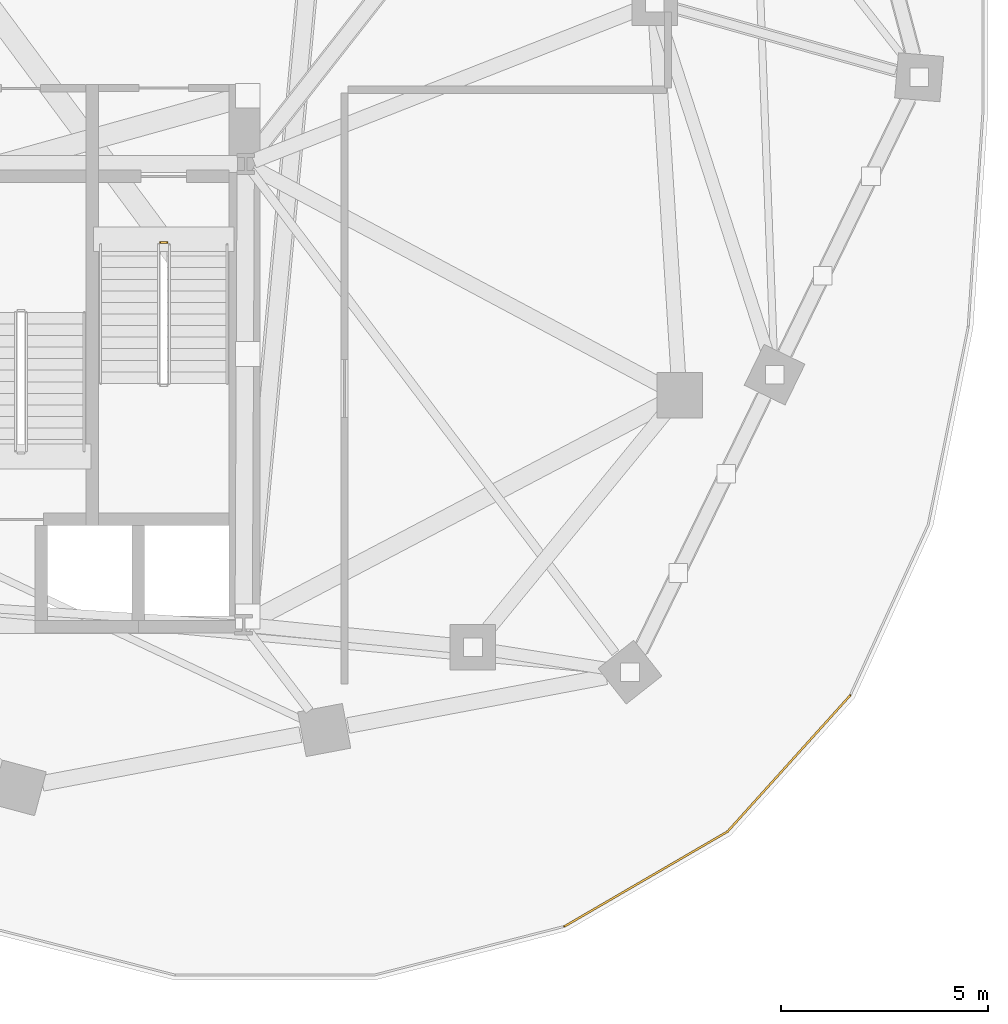
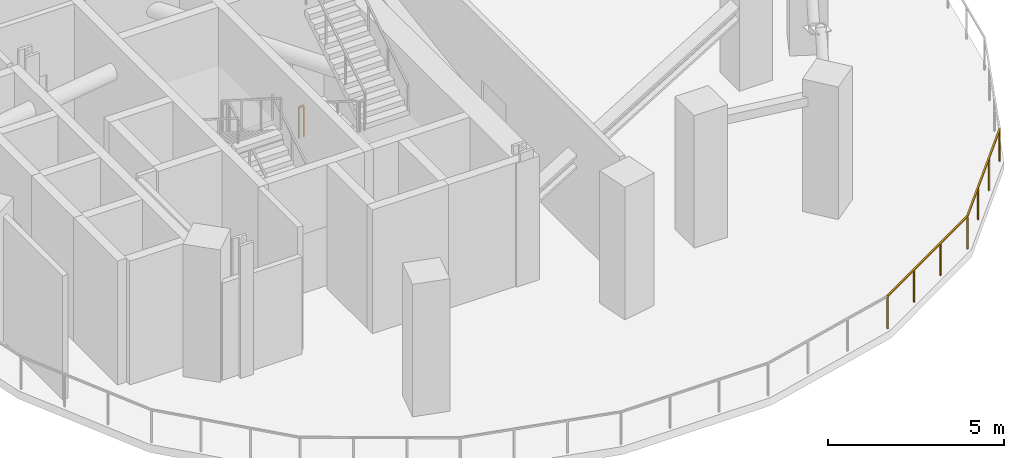
# One storey, part 12 of 13: 2 railings.
"""IFC4 building model written with IfcOpenShell, lengths in metres."""

import ifcopenshell
import ifcopenshell.guid

model = None  # the IFC model being written
_history = None  # IfcOwnerHistory: only IFC2X3 demands one
_inside = {}  # id of a spatial element -> (the spatial element, [elements in it])
_under = {}  # id of a project, library or spatial element -> (it, [spatial elements below it])
_declared = {}  # id of a project -> (the project, [libraries it declares])
_typed = {}  # id of a type object -> (the type object, [elements of that type])
_made_of = {}  # id of a material, layer set ... -> (it, [elements and type objects made of it])


def new_model(schema):
    """Start an empty IFC model of exactly this schema.

    Asked for "IFC4X3", IfcOpenShell would pick the latest addendum, in which some entities
    have other attributes; the version numbers below select the first issue.
    IFC2X3 requires an IfcOwnerHistory on every rooted entity: one is made here for all.
    """
    global model, _history
    if schema == "IFC4X3":
        model = ifcopenshell.file(schema_version=(4, 3, 0, 0))
    else:
        model = ifcopenshell.file(schema=schema)
    _inside.clear()
    _under.clear()
    _declared.clear()
    _typed.clear()
    _made_of.clear()
    _history = None
    if model.schema == "IFC2X3":
        org = make("IfcOrganization", Name="unknown")
        user = make(
            "IfcPersonAndOrganization",
            ThePerson=make("IfcPerson", FamilyName="unknown"),
            TheOrganization=org,
        )
        app = make(
            "IfcApplication",
            ApplicationDeveloper=org,
            Version="unknown",
            ApplicationFullName="unknown",
            ApplicationIdentifier="unknown",
        )
        _history = make(
            "IfcOwnerHistory",
            OwningUser=user,
            OwningApplication=app,
            ChangeAction="ADDED",
            CreationDate=0,
        )
    return model


def make(cls, **values):
    """One entity of the class cls with the attributes given. An attribute that is None is left unset."""
    return model.create_entity(
        cls, **{name: value for name, value in values.items() if value is not None}
    )


def rooted(cls, **values):
    """An entity with a GlobalId (a new one), such as an element, a storey or a relation."""
    return make(cls, GlobalId=ifcopenshell.guid.new(), OwnerHistory=_history, **values)


def si_unit(unit_type, name, prefix=None):
    """IfcSIUnit, for example si_unit("LENGTHUNIT", "METRE", prefix="MILLI")."""
    return make("IfcSIUnit", UnitType=unit_type, Prefix=prefix, Name=name)


def assignment(units):
    """IfcUnitAssignment: the units of a project."""
    return None if units is None else make("IfcUnitAssignment", Units=units)


def point(xyz):
    """IfcCartesianPoint."""
    return None if xyz is None else make("IfcCartesianPoint", Coordinates=xyz)


def direction(xyz):
    """IfcDirection."""
    return None if xyz is None else make("IfcDirection", DirectionRatios=xyz)


def frame(location, z_axis=None, x_axis=None):
    """IfcAxis2Placement3D, a coordinate frame: its origin and axes. An axis left out is left unset."""
    return make(
        "IfcAxis2Placement3D",
        Location=point(location),
        Axis=direction(z_axis),
        RefDirection=direction(x_axis),
    )


def frame_2d(location, x_axis=None):
    """IfcAxis2Placement2D, a coordinate frame in the plane: its origin and x axis."""
    return make(
        "IfcAxis2Placement2D", Location=point(location), RefDirection=direction(x_axis)
    )


def origin():
    """The frame at (0, 0, 0) with its axes left unset."""
    return frame((0.0, 0.0, 0.0))


def origin_2d():
    """The frame at (0, 0) in the plane with its x axis left unset."""
    return frame_2d((0.0, 0.0))


def place(relative_to, where):
    """IfcLocalPlacement: puts the frame where relative to a parent placement (None: the world)."""
    return make(
        "IfcLocalPlacement", PlacementRelTo=relative_to, RelativePlacement=where
    )


def context(
    kind, dimensions, precision=None, world=None, true_north=None, identifier=None
):
    """IfcGeometricRepresentationContext, for example the 3D "Model" context."""
    return make(
        "IfcGeometricRepresentationContext",
        ContextIdentifier=identifier,
        ContextType=kind,
        CoordinateSpaceDimension=dimensions,
        Precision=precision,
        WorldCoordinateSystem=world,
        TrueNorth=true_north,
    )


def subcontext(parent, identifier, kind, view, scale=None):
    """IfcGeometricRepresentationSubContext, for example "Body" below "Model"."""
    return make(
        "IfcGeometricRepresentationSubContext",
        ContextIdentifier=identifier,
        ContextType=kind,
        ParentContext=parent,
        TargetScale=scale,
        TargetView=view,
    )


def project(units=None, contexts=None):
    """IfcProject with its units and contexts."""
    return rooted(
        "IfcProject",
        Name="project",
        RepresentationContexts=contexts,
        UnitsInContext=assignment(units),
    )


def spatial(cls, under=None, at=None, **own):
    """A site, building, storey or space (cls), placed at a placement, below another one or the project."""
    s = rooted(cls, ObjectPlacement=at, **own)
    if under is not None:
        _under.setdefault(under.id(), (under, []))[1].append(s)
    return s


def profile(cls, at=None, kind="AREA", **sizes):
    """A parametric profile (cls). Its sizes go by their IFC names, for example OverallWidth=200.0."""
    return make(cls, ProfileType=kind, Position=at, **sizes)


def rectangle(**sizes):
    """IfcRectangleProfileDef."""
    return profile("IfcRectangleProfileDef", **sizes)


def extrude(swept, where, along, depth):
    """IfcExtrudedAreaSolid: the profile swept, set in the frame where, extruded along a direction by depth."""
    return make(
        "IfcExtrudedAreaSolid",
        SweptArea=swept,
        Position=where,
        ExtrudedDirection=direction(along),
        Depth=depth,
    )


def shape(context_of_items, identifier, shape_type, items):
    """IfcShapeRepresentation: the items that make up one representation, for example the "Body"."""
    return make(
        "IfcShapeRepresentation",
        ContextOfItems=context_of_items,
        RepresentationIdentifier=identifier,
        RepresentationType=shape_type,
        Items=items,
    )


def material(Name=None, Category=None):
    """IfcMaterial."""
    return make("IfcMaterial", Name=Name, Category=Category)


def made_of(thing, what):
    """Note that an element or type object is made of a material, layer set ...; save() writes the relation."""
    if what is not None:
        _made_of.setdefault(what.id(), (what, []))[1].append(thing)
    return thing


def type_object(cls, material=None, **own):
    """A type object (cls), such as IfcWallType, which elements share."""
    return made_of(rooted(cls, **own), material)


def element(
    cls,
    number,
    at=None,
    inside=None,
    cuts=None,
    type_object=None,
    material=None,
    context=None,
    identifier="Body",
    shape_type=None,
    held_by="IfcProductDefinitionShape",
    body=None,
    shapes=None,
    **own,
):
    """One element of the class cls, such as IfcWall. Its Tag is "e" and its number.

    at: its placement. inside: the storey or other place that contains it. cuts: it is an
    opening in that element (IfcRelVoidsElement). A single representation is given by context,
    identifier, shape_type and body (its items); several are given by shapes. held_by: the class
    of the entity that holds the representations. save() writes the other relations.
    """
    e = rooted(cls, Tag="e%d" % number, ObjectPlacement=at, **own)
    if body is not None:
        shapes = [shape(context, identifier, shape_type, body)]
    if shapes is not None:
        e.Representation = make(held_by, Representations=shapes)
    if inside is not None:
        _inside.setdefault(inside.id(), (inside, []))[1].append(e)
    if cuts is not None:
        rooted(
            "IfcRelVoidsElement", RelatingBuildingElement=cuts, RelatedOpeningElement=e
        )
    if type_object is not None:
        _typed.setdefault(type_object.id(), (type_object, []))[1].append(e)
    return made_of(e, material)


def aggregate(whole, parts):
    """IfcRelAggregates: a whole, such as a stair, and the parts it consists of."""
    return rooted("IfcRelAggregates", RelatingObject=whole, RelatedObjects=parts)


def save(model, path):
    """Write the relations noted so far, then the file.

    IfcRelAggregates (storeys below a building ...), IfcRelContainedInSpatialStructure (elements
    in a storey), IfcRelDefinesByType, IfcRelAssociatesMaterial and IfcRelDeclares: one each for
    every whole, place, type object, material and project.
    """
    for whole, parts in _under.values():
        aggregate(whole, parts)
    for where, things in _inside.values():
        rooted(
            "IfcRelContainedInSpatialStructure",
            RelatedElements=things,
            RelatingStructure=where,
        )
    for kind, things in _typed.values():
        rooted("IfcRelDefinesByType", RelatedObjects=things, RelatingType=kind)
    for what, things in _made_of.values():
        rooted("IfcRelAssociatesMaterial", RelatedObjects=things, RelatingMaterial=what)
    for by, libraries in _declared.values():
        rooted("IfcRelDeclares", RelatingContext=by, RelatedDefinitions=libraries)
    model.write(path)


model = new_model("IFC4")

# Units and contexts
model_context = context("Model", 3, precision=1e-05, world=origin(), true_north=direction((0.0, 1.0)))
body_context = subcontext(model_context, "Body", "Model", "MODEL_VIEW")
ifc_project = project(units=[si_unit("LENGTHUNIT", "METRE"), si_unit("AREAUNIT", "SQUARE_METRE"), si_unit("VOLUMEUNIT", "CUBIC_METRE"), si_unit("PLANEANGLEUNIT", "RADIAN"), si_unit("MASSUNIT", "GRAM", prefix="KILO"), si_unit("THERMODYNAMICTEMPERATUREUNIT", "KELVIN"), si_unit("POWERUNIT", "WATT")], contexts=[model_context])

# Site, building, storey
site_placement = place(None, origin())
site = spatial("IfcSite", under=ifc_project, at=site_placement, CompositionType="ELEMENT")
building_placement = place(site_placement, origin())
building = spatial("IfcBuilding", under=site, at=building_placement, Name="Cundina Bronze Exchange", CompositionType="ELEMENT")
storey_placement = place(building_placement, frame((0.0, 0.0, 77.199951171875)))
storey = spatial("IfcBuildingStorey", under=building, at=storey_placement, Name="L19", CompositionType="ELEMENT", Elevation=77.199951171875)

# Railings
ifc_material_1 = material(Name="Anodised Bronze Aluminium 6063-T6", Category="aluminium")
railing_type_1 = type_object("IfcRailingType", Name="RLG-GRD-1150", PredefinedType="GUARDRAIL", material=ifc_material_1)
railing_1_placement = place(storey_placement, frame((45.930419921875, -16.762451171875, 0.0)))
element("IfcRailing", 1, at=railing_1_placement, inside=storey, type_object=railing_type_1, Name="L19 Perimeter Safety Guardrail 03", PredefinedType="GUARDRAIL", context=body_context, shape_type="SweptSolid", body=[
    extrude(rectangle(XDim=0.048095703125, YDim=0.048095703125, at=origin_2d()), frame((0.0, 0.0, 1.1259765625), z_axis=(-0.669381252421, -0.742919066189, 0.0), x_axis=(0.742919066189, -0.669381252421, 0.0)), (0.0, 0.0, 1.0), 4.435546875),
    extrude(rectangle(XDim=0.048095703125, YDim=0.048095703125, at=origin_2d()), frame((-2.968994140625, -3.295166015625, 1.1259765625), z_axis=(-0.864468804017, -0.502686469762, 0.0), x_axis=(0.502686469762, -0.864468804017, 0.0)), (0.0, 0.0, 1.0), 4.56396484375),
    extrude(rectangle(XDim=0.0419921875, YDim=0.0419921875, at=origin_2d()), origin(), (0.0, 0.0, 1.0), 1.101806640625),
    extrude(rectangle(XDim=0.0419921875, YDim=0.0419921875, at=origin_2d()), frame((-0.98974609375, -1.098388671875, 0.0)), (0.0, 0.0, 1.0), 1.101806640625),
    extrude(rectangle(XDim=0.0419921875, YDim=0.0419921875, at=origin_2d()), frame((-1.979248046875, -2.19677734375, 0.0)), (0.0, 0.0, 1.0), 1.101806640625),
    extrude(rectangle(XDim=0.0419921875, YDim=0.0419921875, at=origin_2d()), frame((-2.968994140625, -3.295166015625, 0.0)), (0.0, 0.0, 1.0), 1.101806640625),
    extrude(rectangle(XDim=0.0419921875, YDim=0.0419921875, at=origin_2d()), frame((-4.2841796875, -4.059814453125, 0.0)), (0.0, 0.0, 1.0), 1.101806640625),
    extrude(rectangle(XDim=0.0419921875, YDim=0.0419921875, at=origin_2d()), frame((-5.59912109375, -4.82470703125, 0.0)), (0.0, 0.0, 1.0), 1.101806640625),
    extrude(rectangle(XDim=0.0419921875, YDim=0.0419921875, at=origin_2d()), frame((-6.914306640625, -5.58935546875, 0.0)), (0.0, 0.0, 1.0), 1.101806640625),
])
ifc_material_2 = material(Name="Steel ASTM A36 Painted", Category="steel")
railing_type_2 = type_object("IfcRailingType", Name="RLG-STG-1100", PredefinedType="GUARDRAIL", material=ifc_material_2)
railing_2_placement = place(storey_placement, frame((29.239990234375, -5.800048828125, 0.0)))
element("IfcRailing", 2, at=railing_2_placement, inside=storey, type_object=railing_type_2, Name="L19 ST-E1 stair guard 4", PredefinedType="GUARDRAIL", context=body_context, shape_type="SweptSolid", body=[
    extrude(rectangle(XDim=0.048095703125, YDim=0.048095703125, at=origin_2d()), frame((0.0, 0.0, 1.076171875), z_axis=(1.0, 0.0, 0.0), x_axis=(0.0, 1.0, 0.0)), (0.0, 0.0, 1.0), 0.159912109375),
    extrude(rectangle(XDim=0.0419921875, YDim=0.0419921875, at=origin_2d()), origin(), (0.0, 0.0, 1.0), 1.052001953125),
    extrude(rectangle(XDim=0.0419921875, YDim=0.0419921875, at=origin_2d()), frame((0.159912109375, 0.0, 0.0)), (0.0, 0.0, 1.0), 1.052001953125),
])

save(model, "model.ifc")
